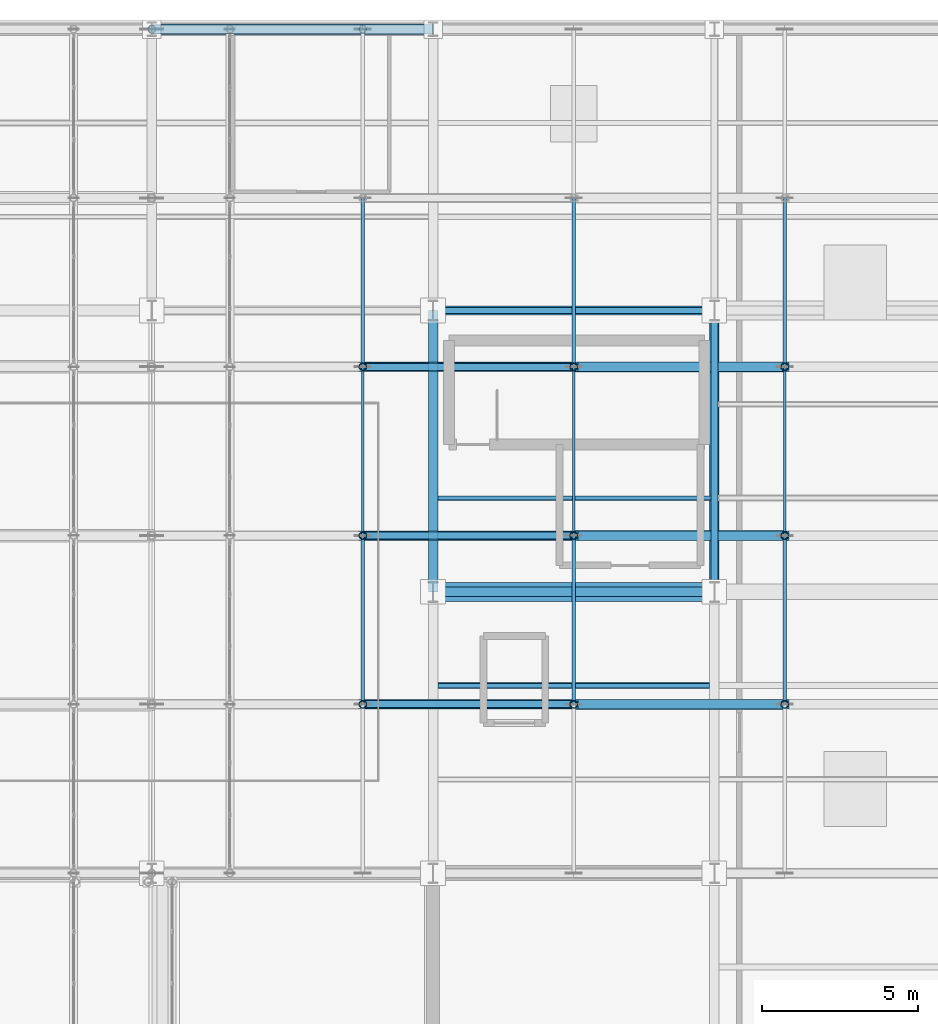
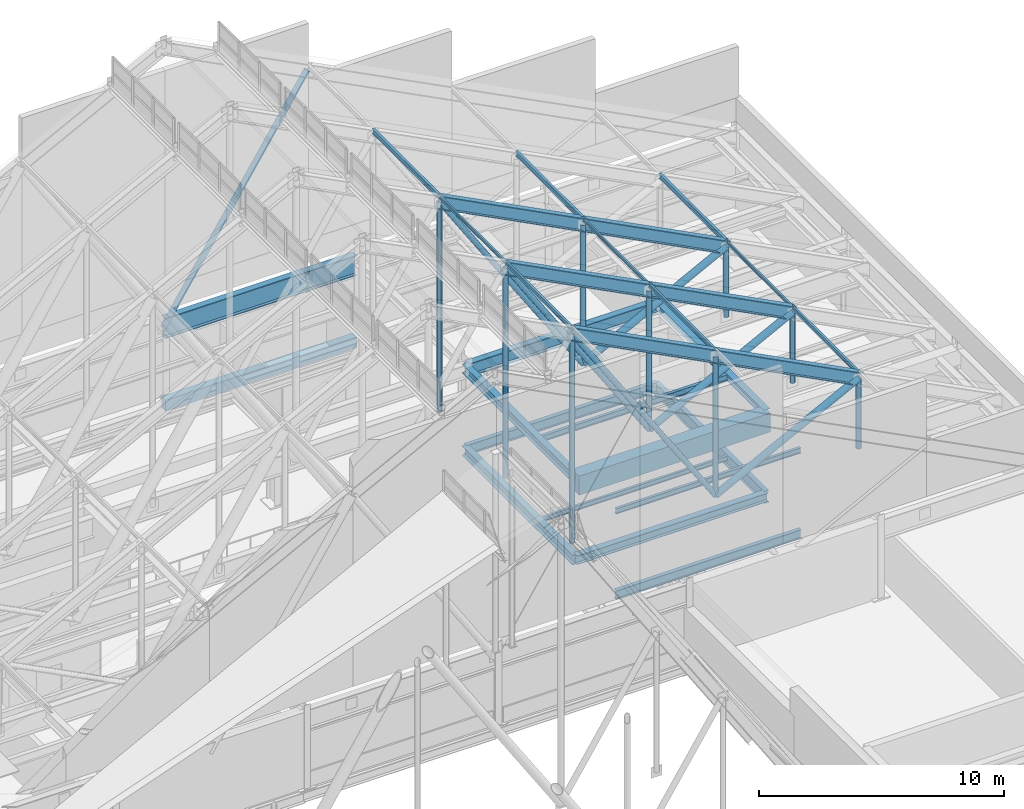
# One storey, part 64 of 84: 31 members, 14 beams.
"""IFC4 building model written with IfcOpenShell, lengths in metres."""

from ifc_helpers import new_model, si_unit, direction, frame, origin, origin_2d, place, context, subcontext, project, spatial, rectangle, hollow_circle, i_section, extrude, material, material_profile, profile_set, type_object, element, save


model = new_model("IFC4")

# Units and contexts
model_context = context("Model", 3, precision=1e-05, world=origin(), true_north=direction((0.0, 1.0)))
body_context = subcontext(model_context, "Body", "Model", "MODEL_VIEW")
ifc_project = project(units=[si_unit("LENGTHUNIT", "METRE"), si_unit("AREAUNIT", "SQUARE_METRE"), si_unit("VOLUMEUNIT", "CUBIC_METRE"), si_unit("PLANEANGLEUNIT", "RADIAN"), si_unit("MASSUNIT", "GRAM", prefix="KILO")], contexts=[model_context])

# Site, building, storey
site_placement = place(None, origin())
site = spatial("IfcSite", under=ifc_project, at=site_placement, CompositionType="ELEMENT")
building_placement = place(site_placement, origin())
building = spatial("IfcBuilding", under=site, at=building_placement, Name="Sundgate Opera House", CompositionType="ELEMENT")
storey_placement = place(building_placement, frame((0.0, 0.0, 30.60009765625)))
storey = spatial("IfcBuildingStorey", under=building, at=storey_placement, Name="L06", CompositionType="ELEMENT", Elevation=30.60009765625)

# Beams
ifc_material_1 = material(Name="Steel S355J2", Category="steel")
ifc_material_profile_1 = material_profile(ifc_material_1, i_section(OverallWidth=0.300048828125, OverallDepth=0.330078125, WebThickness=0.009521484375, FlangeThickness=0.0166015625, at=origin_2d()), Name="HEA 340")
ifc_profile_set_1 = profile_set([ifc_material_profile_1], Name="Steel S355J2")
beam_type_1 = type_object("IfcBeamType", Name="BM-GR-HEA340", PredefinedType="BEAM", material=ifc_profile_set_1)
beam_1_placement = place(storey_placement, frame((72.0, 69.0, 3.635009765625), z_axis=(0.0, 1.0, 0.0), x_axis=(-1.0, 0.0, 0.0)))
element("IfcBeam", 1, at=beam_1_placement, inside=storey, type_object=beam_type_1, Name="L06 Primary N-S Girder B3281", PredefinedType="BEAM", context=body_context, shape_type="SweptSolid", body=[
    extrude(i_section(OverallWidth=0.300048828125, OverallDepth=0.330078125, WebThickness=0.009521484375, FlangeThickness=0.0166015625, at=origin_2d()), origin(), (0.0, 0.0, 1.0), 9.0),
])
ifc_material_2 = material(Name="Steel S355J2", Category="steel")
ifc_material_profile_2 = material_profile(ifc_material_2, i_section(OverallWidth=0.300048828125, OverallDepth=0.43994140625, WebThickness=0.011474609375, FlangeThickness=0.02099609375, at=origin_2d()), Name="HEA 450")
ifc_profile_set_2 = profile_set([ifc_material_profile_2], Name="Steel S355J2")
beam_type_2 = type_object("IfcBeamType", Name="BM-GR-HEA450", PredefinedType="BEAM", material=ifc_profile_set_2)
for number, where, z_axis, x_axis, name in (
    (2, (63.0, 69.0, -0.47998046875), (1.0, 0.0, 0.0), (0.0, 1.0, 0.0), "L06 Primary E-W Girder B3226"),
    (3, (63.0, 69.0, 3.579833984375), (0.0, 1.0, 0.0), (-1.0, 0.0, 0.0), "L06 Primary N-S Girder B3278"),
):
    element("IfcBeam", number, at=place(storey_placement, frame(where, z_axis=z_axis, x_axis=x_axis)), inside=storey, type_object=beam_type_2, Name=name, PredefinedType="BEAM", context=body_context, shape_type="SweptSolid", body=[
        extrude(i_section(OverallWidth=0.300048828125, OverallDepth=0.43994140625, WebThickness=0.011474609375, FlangeThickness=0.02099609375, at=origin_2d()), origin(), (0.0, 0.0, 1.0), 9.0),
    ])
ifc_material_3 = material(Name="Steel S355J2", Category="steel")
ifc_material_profile_3 = material_profile(ifc_material_3, i_section(OverallWidth=0.300048828125, OverallDepth=0.489990234375, WebThickness=0.011962890625, FlangeThickness=0.02294921875, at=origin_2d()), Name="HEA 500")
ifc_profile_set_3 = profile_set([ifc_material_profile_3], Name="Steel S355J2")
beam_type_3 = type_object("IfcBeamType", Name="BM-GR-HEA500", PredefinedType="BEAM", material=ifc_profile_set_3)
beam_2_placement = place(storey_placement, frame((63.0, 69.0, -0.505126953125), z_axis=(0.0, 1.0, 0.0), x_axis=(-1.0, 0.0, 0.0)))
element("IfcBeam", 4, at=beam_2_placement, inside=storey, type_object=beam_type_3, Name="L06 Primary N-S Girder B3203", PredefinedType="BEAM", context=body_context, shape_type="SweptSolid", body=[
    extrude(i_section(OverallWidth=0.300048828125, OverallDepth=0.489990234375, WebThickness=0.011962890625, FlangeThickness=0.02294921875, at=origin_2d()), origin(), (0.0, 0.0, 1.0), 9.0),
])
ifc_material_4 = material(Name="Steel S355J2", Category="steel")
ifc_material_profile_4 = material_profile(ifc_material_4, i_section(OverallWidth=0.300048828125, OverallDepth=0.64990234375, WebThickness=0.01611328125, FlangeThickness=0.031005859375, at=origin_2d()), Name="HEB 650")
ifc_profile_set_4 = profile_set([ifc_material_profile_4], Name="Steel S355J2")
beam_type_4 = type_object("IfcBeamType", Name="BM-GR-HEB650", PredefinedType="BEAM", material=ifc_profile_set_4)
beam_3_placement = place(storey_placement, frame((63.0, 78.0, 3.474853515625), z_axis=(1.0, 0.0, 0.0), x_axis=(0.0, 1.0, 0.0)))
element("IfcBeam", 5, at=beam_3_placement, inside=storey, type_object=beam_type_4, Name="L06 Primary E-W Girder B3291", PredefinedType="BEAM", context=body_context, shape_type="SweptSolid", body=[
    extrude(i_section(OverallWidth=0.300048828125, OverallDepth=0.64990234375, WebThickness=0.01611328125, FlangeThickness=0.031005859375, at=origin_2d()), origin(), (0.0, 0.0, 1.0), 9.0),
])
ifc_material_5 = material(Name="Steel S355J2", Category="steel")
ifc_material_profile_5 = material_profile(ifc_material_5, i_section(OverallWidth=0.199951171875, OverallDepth=0.5, WebThickness=0.01025390625, FlangeThickness=0.01611328125, at=origin_2d()), Name="IPE 500")
ifc_profile_set_5 = profile_set([ifc_material_profile_5], Name="Steel S355J2")
beam_type_5 = type_object("IfcBeamType", Name="BM-GR-IPE500", PredefinedType="BEAM", material=ifc_profile_set_5)
beam_4_placement = place(storey_placement, frame((63.0, 78.0, -0.510009765625), z_axis=(1.0, 0.0, 0.0), x_axis=(0.0, 1.0, 0.0)))
element("IfcBeam", 6, at=beam_4_placement, inside=storey, type_object=beam_type_5, Name="L06 Primary E-W Girder B3232", PredefinedType="BEAM", context=body_context, shape_type="SweptSolid", body=[
    extrude(i_section(OverallWidth=0.199951171875, OverallDepth=0.5, WebThickness=0.01025390625, FlangeThickness=0.01611328125, at=origin_2d()), origin(), (0.0, 0.0, 1.0), 9.0),
])
ifc_material_6 = material(Name="Steel S355J2", Category="steel")
ifc_material_profile_6 = material_profile(ifc_material_6, i_section(OverallWidth=0.219970703125, OverallDepth=0.60009765625, WebThickness=0.011962890625, FlangeThickness=0.01904296875, at=origin_2d()), Name="IPE 600")
ifc_profile_set_6 = profile_set([ifc_material_profile_6], Name="Steel S355J2")
beam_type_6 = type_object("IfcBeamType", Name="BM-GR-IPE600", PredefinedType="BEAM", material=ifc_profile_set_6)
beam_5_placement = place(storey_placement, frame((72.0, 69.0, -0.56005859375), z_axis=(0.0, 1.0, 0.0), x_axis=(-1.0, 0.0, 0.0)))
element("IfcBeam", 7, at=beam_5_placement, inside=storey, type_object=beam_type_6, Name="L06 Primary N-S Girder B3208", PredefinedType="BEAM", context=body_context, shape_type="SweptSolid", body=[
    extrude(i_section(OverallWidth=0.219970703125, OverallDepth=0.60009765625, WebThickness=0.011962890625, FlangeThickness=0.01904296875, at=origin_2d()), origin(), (0.0, 0.0, 1.0), 9.0),
])
ifc_material_7 = material(Name="Steel S355J2", Category="steel")
ifc_material_profile_7 = material_profile(ifc_material_7, i_section(OverallWidth=0.1201171875, OverallDepth=0.239990234375, WebThickness=0.006103515625, FlangeThickness=0.009765625, at=origin_2d()), Name="IPE 240")
ifc_profile_set_7 = profile_set([ifc_material_profile_7], Name="Steel S355J2")
beam_type_7 = type_object("IfcBeamType", Name="BM-JS-IPE240", PredefinedType="JOIST", material=ifc_profile_set_7)
beam_6_placement = place(storey_placement, frame((63.14990234375, 72.0, -0.380126953125), z_axis=(1.0, 0.0, 0.0), x_axis=(0.0, 1.0, 0.0)))
element("IfcBeam", 8, at=beam_6_placement, inside=storey, type_object=beam_type_7, Name="L06 Secondary Floor Joist B3255", PredefinedType="JOIST", context=body_context, shape_type="SweptSolid", body=[
    extrude(i_section(OverallWidth=0.1201171875, OverallDepth=0.239990234375, WebThickness=0.006103515625, FlangeThickness=0.009765625, at=origin_2d()), origin(), (0.0, 0.0, 1.0), 8.739990234375),
])
ifc_material_8 = material(Name="Steel S355J2", Category="steel")
ifc_material_profile_8 = material_profile(ifc_material_8, i_section(OverallWidth=0.135009765625, OverallDepth=0.27001953125, WebThickness=0.006591796875, FlangeThickness=0.01025390625, at=origin_2d()), Name="IPE 270")
ifc_profile_set_8 = profile_set([ifc_material_profile_8], Name="Steel S355J2")
beam_type_8 = type_object("IfcBeamType", Name="BM-JS-IPE270", PredefinedType="JOIST", material=ifc_profile_set_8)
beam_7_placement = place(storey_placement, frame((63.14990234375, 66.0, 3.664794921875), z_axis=(1.0, 0.0, 0.0), x_axis=(0.0, 1.0, 0.0)))
element("IfcBeam", 9, at=beam_7_placement, inside=storey, type_object=beam_type_8, Name="L06 Secondary Floor Joist B3312", PredefinedType="JOIST", context=body_context, shape_type="SweptSolid", body=[
    extrude(i_section(OverallWidth=0.135009765625, OverallDepth=0.27001953125, WebThickness=0.006591796875, FlangeThickness=0.01025390625, at=origin_2d()), origin(), (0.0, 0.0, 1.0), 8.7001953125),
])
ifc_material_9 = material(Name="Steel S355J2", Category="steel")
ifc_material_profile_9 = material_profile(ifc_material_9, i_section(OverallWidth=0.14990234375, OverallDepth=0.300048828125, WebThickness=0.007080078125, FlangeThickness=0.0107421875, at=origin_2d()), Name="IPE 300")
ifc_profile_set_9 = profile_set([ifc_material_profile_9], Name="Steel S355J2")
beam_type_9 = type_object("IfcBeamType", Name="BM-JS-IPE300", PredefinedType="JOIST", material=ifc_profile_set_9)
beam_8_placement = place(storey_placement, frame((63.14990234375, 72.0, 3.64990234375), z_axis=(1.0, 0.0, 0.0), x_axis=(0.0, 1.0, 0.0)))
element("IfcBeam", 10, at=beam_8_placement, inside=storey, type_object=beam_type_9, Name="L06 Secondary Floor Joist B3318", PredefinedType="JOIST", context=body_context, shape_type="SweptSolid", body=[
    extrude(i_section(OverallWidth=0.14990234375, OverallDepth=0.300048828125, WebThickness=0.007080078125, FlangeThickness=0.0107421875, at=origin_2d()), origin(), (0.0, 0.0, 1.0), 8.7001953125),
])
ifc_material_10 = material(Name="Steel S355J2", Category="steel")
ifc_material_profile_10 = material_profile(ifc_material_10, i_section(OverallWidth=0.18994140625, OverallDepth=0.449951171875, WebThickness=0.009521484375, FlangeThickness=0.0146484375, at=origin_2d()), Name="IPE 450")
ifc_profile_set_10 = profile_set([ifc_material_profile_10], Name="Steel S355J2")
beam_type_10 = type_object("IfcBeamType", Name="BM-JS-IPE450", PredefinedType="JOIST", material=ifc_profile_set_10)
beam_9_placement = place(storey_placement, frame((63.14990234375, 66.0, -0.485107421875), z_axis=(1.0, 0.0, 0.0), x_axis=(0.0, 1.0, 0.0)))
element("IfcBeam", 11, at=beam_9_placement, inside=storey, type_object=beam_type_10, Name="L06 Secondary Floor Joist B3249", PredefinedType="JOIST", context=body_context, shape_type="SweptSolid", body=[
    extrude(i_section(OverallWidth=0.18994140625, OverallDepth=0.449951171875, WebThickness=0.009521484375, FlangeThickness=0.0146484375, at=origin_2d()), origin(), (0.0, 0.0, 1.0), 8.7001953125),
])
ifc_material_11 = material(Name="Concrete C35/45", Category="concrete")
ifc_material_profile_11 = material_profile(ifc_material_11, rectangle(XDim=0.35009765625, YDim=0.550048828125, at=origin_2d()), Name="RC 350x550")
ifc_profile_set_11 = profile_set([ifc_material_profile_11], Name="Concrete C35/45")
beam_type_11 = type_object("IfcBeamType", Name="BM-RC-350x550", PredefinedType="BEAM", material=ifc_profile_set_11)
beam_10_placement = place(storey_placement, frame((54.0, 87.0, -0.53515625), z_axis=(1.0, 0.0, 0.0), x_axis=(0.0, 1.0, 0.0)))
element("IfcBeam", 12, at=beam_10_placement, inside=storey, type_object=beam_type_11, Name="L06 Primary E-W Girder B3237", PredefinedType="BEAM", context=body_context, shape_type="SweptSolid", body=[
    extrude(rectangle(XDim=0.35009765625, YDim=0.550048828125, at=origin_2d()), origin(), (0.0, 0.0, 1.0), 9.0),
])
ifc_material_12 = material(Name="Concrete C40/50", Category="concrete")
ifc_material_profile_12 = material_profile(ifc_material_12, rectangle(XDim=0.60009765625, YDim=0.949951171875, at=origin_2d()), Name="RC 600x950")
ifc_profile_set_12 = profile_set([ifc_material_profile_12], Name="Concrete C40/50")
beam_type_12 = type_object("IfcBeamType", Name="BM-RC-600x950", PredefinedType="BEAM", material=ifc_profile_set_12)
beam_11_placement = place(storey_placement, frame((63.0, 69.0, 3.324951171875), z_axis=(1.0, 0.0, 0.0), x_axis=(0.0, 1.0, 0.0)))
element("IfcBeam", 13, at=beam_11_placement, inside=storey, type_object=beam_type_12, Name="L06 Primary E-W Girder B3285", PredefinedType="BEAM", context=body_context, shape_type="SweptSolid", body=[
    extrude(rectangle(XDim=0.60009765625, YDim=0.949951171875, at=origin_2d()), origin(), (0.0, 0.0, 1.0), 9.0),
])
ifc_material_13 = material(Name="Steel S355ML", Category="steel")
ifc_material_profile_13 = material_profile(ifc_material_13, i_section(OverallWidth=0.300048828125, OverallDepth=1.0, WebThickness=0.01904296875, FlangeThickness=0.035888671875, at=origin_2d()), Name="HEB 1000")
ifc_profile_set_13 = profile_set([ifc_material_profile_13], Name="Steel S355ML")
beam_type_13 = type_object("IfcBeamType", Name="BM-TR-HEB1000", PredefinedType="BEAM", material=ifc_profile_set_13)
beam_12_placement = place(storey_placement, frame((54.0, 87.0, 3.289794921875), z_axis=(1.0, 0.0, 0.0), x_axis=(0.0, 1.0, 0.0)))
element("IfcBeam", 14, at=beam_12_placement, inside=storey, type_object=beam_type_13, Name="L06 Fly-Tower North Gable Girder B3369", PredefinedType="BEAM", context=body_context, shape_type="SweptSolid", body=[
    extrude(i_section(OverallWidth=0.300048828125, OverallDepth=1.0, WebThickness=0.01904296875, FlangeThickness=0.035888671875, at=origin_2d()), origin(), (0.0, 0.0, 1.0), 9.0),
])

# Members
ifc_material_14 = material(Name="Steel S355J2", Category="steel")
ifc_material_profile_14 = material_profile(ifc_material_14, hollow_circle(Radius=0.122314453125, WallThickness=0.012451171875, at=origin_2d()), Name="CHS 244.5x12.5")
ifc_profile_set_14 = profile_set([ifc_material_profile_14], Name="Steel S355J2")
member_type_1 = type_object("IfcMemberType", Name="MB-BRC-CHS244", PredefinedType="BRACE", material=ifc_profile_set_14)
for number, where, z_axis, x_axis, name in (
    (15, (67.5, 65.39990234375, 3.289794921875), (-0.543221949913, 0.0, 0.839589133525), (0.0, -1.0, 0.0), "L06 Fly-Tower Warren Web Diagonal M0144"),
    (16, (67.5, 70.800048828125, 3.289794921875), (-0.543221949913, 0.0, 0.839589133525), (0.0, -1.0, 0.0), "L06 Fly-Tower Warren Web Diagonal M0165"),
    (17, (67.5, 76.199951171875, 3.289794921875), (-0.543221949913, 0.0, 0.839589133525), (0.0, -1.0, 0.0), "L06 Fly-Tower Warren Web Diagonal M0186"),
):
    element("IfcMember", number, at=place(storey_placement, frame(where, z_axis=z_axis, x_axis=x_axis)), inside=storey, type_object=member_type_1, Name=name, PredefinedType="BRACE", context=body_context, shape_type="SweptSolid", body=[
        extrude(hollow_circle(Radius=0.122314453125, WallThickness=0.012451171875, at=origin_2d()), origin(), (0.0, 0.0, 1.0), 12.42578125),
    ])
ifc_material_15 = material(Name="Steel S355J2", Category="steel")
ifc_material_profile_15 = material_profile(ifc_material_15, i_section(OverallWidth=0.300048828125, OverallDepth=0.60009765625, WebThickness=0.015380859375, FlangeThickness=0.030029296875, at=origin_2d()), Name="HEB 600")
ifc_profile_set_15 = profile_set([ifc_material_profile_15], Name="Steel S355J2")
member_type_2 = type_object("IfcMemberType", Name="MB-CHORD-HEB600", PredefinedType="CHORD", material=ifc_profile_set_15)
for number, where, z_axis, x_axis, name in (
    (18, (60.75, 65.39990234375, 13.722412109375), (0.888960276237, 0.0, -0.457984308981), (0.0, 1.0, 0.0), "L06 Fly-Tower Truss Top Chord M0143"),
    (19, (67.5, 65.39990234375, 10.244873046875), (0.888960276237, 0.0, -0.457984308981), (0.0, 1.0, 0.0), "L06 Fly-Tower Truss Top Chord M0145"),
    (20, (60.75, 70.800048828125, 13.722412109375), (0.888960276237, 0.0, -0.457984308981), (0.0, 1.0, 0.0), "L06 Fly-Tower Truss Top Chord M0164"),
    (21, (67.5, 70.800048828125, 10.244873046875), (0.888960276237, 0.0, -0.457984308981), (0.0, 1.0, 0.0), "L06 Fly-Tower Truss Top Chord M0166"),
    (22, (60.75, 76.199951171875, 13.722412109375), (0.888960276237, 0.0, -0.457984308981), (0.0, 1.0, 0.0), "L06 Fly-Tower Truss Top Chord M0185"),
    (23, (67.5, 76.199951171875, 10.244873046875), (0.888960276237, 0.0, -0.457984308981), (0.0, 1.0, 0.0), "L06 Fly-Tower Truss Top Chord M0187"),
):
    element("IfcMember", number, at=place(storey_placement, frame(where, z_axis=z_axis, x_axis=x_axis)), inside=storey, type_object=member_type_2, Name=name, PredefinedType="CHORD", context=body_context, shape_type="SweptSolid", body=[
        extrude(i_section(OverallWidth=0.300048828125, OverallDepth=0.60009765625, WebThickness=0.015380859375, FlangeThickness=0.030029296875, at=origin_2d()), origin(), (0.0, 0.0, 1.0), 7.59326171875),
    ])
ifc_material_16 = material(Name="Steel S355J2", Category="steel")
ifc_material_profile_16 = material_profile(ifc_material_16, i_section(OverallWidth=0.08203125, OverallDepth=0.159912109375, WebThickness=0.0048828125, FlangeThickness=0.00732421875, at=origin_2d()), Name="IPE 160")
ifc_profile_set_16 = profile_set([ifc_material_profile_16], Name="Steel S355J2")
member_type_3 = type_object("IfcMemberType", Name="MB-PUR-IPE160", PredefinedType="PURLIN", material=ifc_profile_set_16)
for number, where, z_axis, x_axis, name in (
    (24, (60.75, 70.800048828125, 13.96728515625), (0.0, 1.0, 0.0), (-1.0, 0.0, 0.0), "V1 Roof Purlin M0261"),
    (25, (67.5, 70.800048828125, 10.489990234375), (0.0, 1.0, 0.0), (-1.0, 0.0, 0.0), "V1 Roof Purlin M0262"),
    (26, (74.25, 70.800048828125, 7.012451171875), (0.0, 1.0, 0.0), (-1.0, 0.0, 0.0), "V1 Roof Purlin M0263"),
):
    element("IfcMember", number, at=place(storey_placement, frame(where, z_axis=z_axis, x_axis=x_axis)), inside=storey, type_object=member_type_3, Name=name, PredefinedType="PURLIN", context=body_context, shape_type="SweptSolid", body=[
        extrude(i_section(OverallWidth=0.08203125, OverallDepth=0.159912109375, WebThickness=0.0048828125, FlangeThickness=0.00732421875, at=origin_2d()), origin(), (0.0, 0.0, 1.0), 5.39990234375),
    ])
ifc_material_17 = material(Name="Steel S355J2", Category="steel")
ifc_material_profile_17 = material_profile(ifc_material_17, i_section(OverallWidth=0.10009765625, OverallDepth=0.199951171875, WebThickness=0.005615234375, FlangeThickness=0.008544921875, at=origin_2d()), Name="IPE 200")
ifc_profile_set_17 = profile_set([ifc_material_profile_17], Name="Steel S355J2")
member_type_4 = type_object("IfcMemberType", Name="MB-PUR-IPE200", PredefinedType="PURLIN", material=ifc_profile_set_17)
for number, where, z_axis, x_axis, name in (
    (27, (60.75, 65.39990234375, 13.96728515625), (0.0, 1.0, 0.0), (-1.0, 0.0, 0.0), "V1 Roof Purlin M0255"),
    (28, (67.5, 65.39990234375, 10.489990234375), (0.0, 1.0, 0.0), (-1.0, 0.0, 0.0), "V1 Roof Purlin M0256"),
    (29, (74.25, 65.39990234375, 7.012451171875), (0.0, 1.0, 0.0), (-1.0, 0.0, 0.0), "V1 Roof Purlin M0257"),
):
    element("IfcMember", number, at=place(storey_placement, frame(where, z_axis=z_axis, x_axis=x_axis)), inside=storey, type_object=member_type_4, Name=name, PredefinedType="PURLIN", context=body_context, shape_type="SweptSolid", body=[
        extrude(i_section(OverallWidth=0.10009765625, OverallDepth=0.199951171875, WebThickness=0.005615234375, FlangeThickness=0.008544921875, at=origin_2d()), origin(), (0.0, 0.0, 1.0), 5.400146484375),
    ])
ifc_material_18 = material(Name="Steel S355J2", Category="steel")
ifc_material_profile_18 = material_profile(ifc_material_18, i_section(OverallWidth=0.1201171875, OverallDepth=0.239990234375, WebThickness=0.006103515625, FlangeThickness=0.009765625, at=origin_2d()), Name="IPE 240")
ifc_profile_set_18 = profile_set([ifc_material_profile_18], Name="Steel S355J2")
member_type_5 = type_object("IfcMemberType", Name="MB-PUR-IPE240", PredefinedType="PURLIN", material=ifc_profile_set_18)
for number, where, z_axis, x_axis, name in (
    (30, (60.75, 76.199951171875, 13.96728515625), (0.0, 1.0, 0.0), (-1.0, 0.0, 0.0), "V1 Roof Purlin M0267"),
    (31, (67.5, 76.199951171875, 10.489990234375), (0.0, 1.0, 0.0), (-1.0, 0.0, 0.0), "V1 Roof Purlin M0268"),
    (32, (74.25, 76.199951171875, 7.012451171875), (0.0, 1.0, 0.0), (-1.0, 0.0, 0.0), "V1 Roof Purlin M0269"),
):
    element("IfcMember", number, at=place(storey_placement, frame(where, z_axis=z_axis, x_axis=x_axis)), inside=storey, type_object=member_type_5, Name=name, PredefinedType="PURLIN", context=body_context, shape_type="SweptSolid", body=[
        extrude(i_section(OverallWidth=0.1201171875, OverallDepth=0.239990234375, WebThickness=0.006103515625, FlangeThickness=0.009765625, at=origin_2d()), origin(), (0.0, 0.0, 1.0), 5.400146484375),
    ])
ifc_material_19 = material(Name="Steel S355J2", Category="steel")
ifc_material_profile_19 = material_profile(ifc_material_19, hollow_circle(Radius=0.122314453125, WallThickness=0.012451171875, at=origin_2d()), Name="CHS 244.5x12.5")
ifc_profile_set_19 = profile_set([ifc_material_profile_19], Name="Steel S355J2")
member_type_6 = type_object("IfcMemberType", Name="MB-STRUT-CHS244", PredefinedType="STRUT", material=ifc_profile_set_19)
member_1_placement = place(storey_placement, frame((60.75, 65.39990234375, 3.289794921875), z_axis=(0.0, 0.0, 1.0), x_axis=(1.0, 0.0, 0.0)))
element("IfcMember", 33, at=member_1_placement, inside=storey, type_object=member_type_6, Name="L06 Fly-Tower Truss Vertical Post M0152", PredefinedType="STRUT", context=body_context, shape_type="SweptSolid", body=[
    extrude(hollow_circle(Radius=0.122314453125, WallThickness=0.012451171875, at=origin_2d()), origin(), (0.0, 0.0, 1.0), 10.4326171875),
])
member_2_placement = place(storey_placement, frame((67.5, 65.39990234375, 3.289794921875), z_axis=(0.0, 0.0, 1.0), x_axis=(1.0, 0.0, 0.0)))
element("IfcMember", 34, at=member_2_placement, inside=storey, type_object=member_type_6, Name="L06 Fly-Tower Truss Vertical Post M0153", PredefinedType="STRUT", context=body_context, shape_type="SweptSolid", body=[
    extrude(hollow_circle(Radius=0.122314453125, WallThickness=0.012451171875, at=origin_2d()), origin(), (0.0, 0.0, 1.0), 6.955078125),
])
member_3_placement = place(storey_placement, frame((74.25, 65.39990234375, 3.289794921875), z_axis=(0.0, 0.0, 1.0), x_axis=(1.0, 0.0, 0.0)))
element("IfcMember", 35, at=member_3_placement, inside=storey, type_object=member_type_6, Name="L06 Fly-Tower Truss Vertical Post M0154", PredefinedType="STRUT", context=body_context, shape_type="SweptSolid", body=[
    extrude(hollow_circle(Radius=0.122314453125, WallThickness=0.012451171875, at=origin_2d()), origin(), (0.0, 0.0, 1.0), 3.4775390625),
])
member_4_placement = place(storey_placement, frame((60.75, 70.800048828125, 3.289794921875), z_axis=(0.0, 0.0, 1.0), x_axis=(1.0, 0.0, 0.0)))
element("IfcMember", 36, at=member_4_placement, inside=storey, type_object=member_type_6, Name="L06 Fly-Tower Truss Vertical Post M0173", PredefinedType="STRUT", context=body_context, shape_type="SweptSolid", body=[
    extrude(hollow_circle(Radius=0.122314453125, WallThickness=0.012451171875, at=origin_2d()), origin(), (0.0, 0.0, 1.0), 10.4326171875),
])
member_5_placement = place(storey_placement, frame((67.5, 70.800048828125, 3.289794921875), z_axis=(0.0, 0.0, 1.0), x_axis=(1.0, 0.0, 0.0)))
element("IfcMember", 37, at=member_5_placement, inside=storey, type_object=member_type_6, Name="L06 Fly-Tower Truss Vertical Post M0174", PredefinedType="STRUT", context=body_context, shape_type="SweptSolid", body=[
    extrude(hollow_circle(Radius=0.122314453125, WallThickness=0.012451171875, at=origin_2d()), origin(), (0.0, 0.0, 1.0), 6.955078125),
])
member_6_placement = place(storey_placement, frame((74.25, 70.800048828125, 3.289794921875), z_axis=(0.0, 0.0, 1.0), x_axis=(1.0, 0.0, 0.0)))
element("IfcMember", 38, at=member_6_placement, inside=storey, type_object=member_type_6, Name="L06 Fly-Tower Truss Vertical Post M0175", PredefinedType="STRUT", context=body_context, shape_type="SweptSolid", body=[
    extrude(hollow_circle(Radius=0.122314453125, WallThickness=0.012451171875, at=origin_2d()), origin(), (0.0, 0.0, 1.0), 3.4775390625),
])
member_7_placement = place(storey_placement, frame((60.75, 76.199951171875, 3.289794921875), z_axis=(0.0, 0.0, 1.0), x_axis=(1.0, 0.0, 0.0)))
element("IfcMember", 39, at=member_7_placement, inside=storey, type_object=member_type_6, Name="L06 Fly-Tower Truss Vertical Post M0194", PredefinedType="STRUT", context=body_context, shape_type="SweptSolid", body=[
    extrude(hollow_circle(Radius=0.122314453125, WallThickness=0.012451171875, at=origin_2d()), origin(), (0.0, 0.0, 1.0), 10.4326171875),
])
member_8_placement = place(storey_placement, frame((67.5, 76.199951171875, 3.289794921875), z_axis=(0.0, 0.0, 1.0), x_axis=(1.0, 0.0, 0.0)))
element("IfcMember", 40, at=member_8_placement, inside=storey, type_object=member_type_6, Name="L06 Fly-Tower Truss Vertical Post M0195", PredefinedType="STRUT", context=body_context, shape_type="SweptSolid", body=[
    extrude(hollow_circle(Radius=0.122314453125, WallThickness=0.012451171875, at=origin_2d()), origin(), (0.0, 0.0, 1.0), 6.955078125),
])
member_9_placement = place(storey_placement, frame((74.25, 76.199951171875, 3.289794921875), z_axis=(0.0, 0.0, 1.0), x_axis=(1.0, 0.0, 0.0)))
element("IfcMember", 41, at=member_9_placement, inside=storey, type_object=member_type_6, Name="L06 Fly-Tower Truss Vertical Post M0196", PredefinedType="STRUT", context=body_context, shape_type="SweptSolid", body=[
    extrude(hollow_circle(Radius=0.122314453125, WallThickness=0.012451171875, at=origin_2d()), origin(), (0.0, 0.0, 1.0), 3.4775390625),
])
ifc_material_20 = material(Name="Steel S355J2", Category="steel")
ifc_material_profile_20 = material_profile(ifc_material_20, hollow_circle(Radius=0.136474609375, WallThickness=0.01611328125, at=origin_2d()), Name="CHS 273.0x16.0")
ifc_profile_set_20 = profile_set([ifc_material_profile_20], Name="Steel S355J2")
member_type_7 = type_object("IfcMemberType", Name="MB-STRUT-CHS273", PredefinedType="STRUT", material=ifc_profile_set_20)
member_10_placement = place(storey_placement, frame((54.0, 87.0, 3.289794921875), z_axis=(0.543221949913, 0.0, 0.839589133525), x_axis=(0.0, 1.0, 0.0)))
element("IfcMember", 42, at=member_10_placement, inside=storey, type_object=member_type_7, Name="L06 Fly-Tower Warren Web Strut M0226", PredefinedType="STRUT", context=body_context, shape_type="SweptSolid", body=[
    extrude(hollow_circle(Radius=0.136474609375, WallThickness=0.01611328125, at=origin_2d()), origin(), (0.0, 0.0, 1.0), 12.42578125),
])
ifc_material_21 = material(Name="Steel S355J2", Category="steel")
ifc_material_profile_21 = material_profile(ifc_material_21, hollow_circle(Radius=0.161865234375, WallThickness=0.01611328125, at=origin_2d()), Name="CHS 323.9x16.0")
ifc_profile_set_21 = profile_set([ifc_material_profile_21], Name="Steel S355J2")
member_type_8 = type_object("IfcMemberType", Name="MB-STRUT-CHS324", PredefinedType="STRUT", material=ifc_profile_set_21)
for number, where, z_axis, x_axis, name in (
    (43, (67.5, 65.39990234375, 3.289794921875), (0.888960276237, 0.0, 0.457984308981), (0.0, 1.0, 0.0), "L06 Fly-Tower Warren Web Strut M0146"),
    (44, (67.5, 70.800048828125, 3.289794921875), (0.888960276237, 0.0, 0.457984308981), (0.0, 1.0, 0.0), "L06 Fly-Tower Warren Web Strut M0167"),
    (45, (67.5, 76.199951171875, 3.289794921875), (0.888960276237, 0.0, 0.457984308981), (0.0, 1.0, 0.0), "L06 Fly-Tower Warren Web Strut M0188"),
):
    element("IfcMember", number, at=place(storey_placement, frame(where, z_axis=z_axis, x_axis=x_axis)), inside=storey, type_object=member_type_8, Name=name, PredefinedType="STRUT", context=body_context, shape_type="SweptSolid", body=[
        extrude(hollow_circle(Radius=0.161865234375, WallThickness=0.01611328125, at=origin_2d()), origin(), (0.0, 0.0, 1.0), 7.59326171875),
    ])

save(model, "model.ifc")
